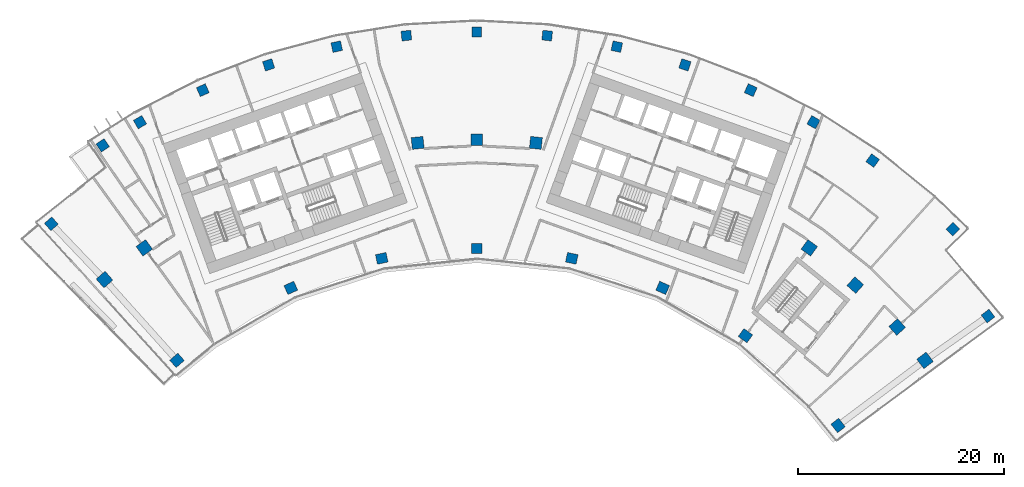
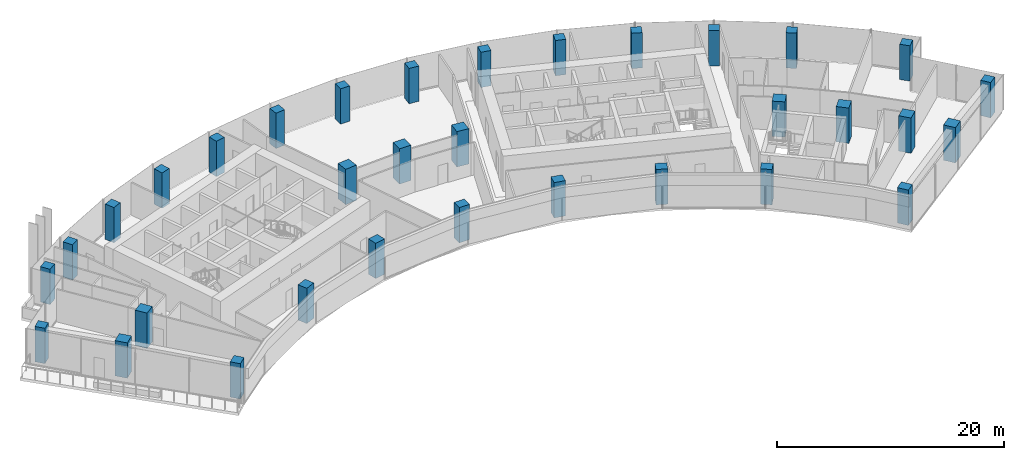
# One storey, part 1 of 19: 33 columns.
"""IFC4 building model written with IfcOpenShell, lengths in metres."""

import ifcopenshell
import ifcopenshell.guid

model = None  # the IFC model being written
_history = None  # IfcOwnerHistory: only IFC2X3 demands one
_inside = {}  # id of a spatial element -> (the spatial element, [elements in it])
_under = {}  # id of a project, library or spatial element -> (it, [spatial elements below it])
_declared = {}  # id of a project -> (the project, [libraries it declares])
_typed = {}  # id of a type object -> (the type object, [elements of that type])
_made_of = {}  # id of a material, layer set ... -> (it, [elements and type objects made of it])


def new_model(schema):
    """Start an empty IFC model of exactly this schema.

    Asked for "IFC4X3", IfcOpenShell would pick the latest addendum, in which some entities
    have other attributes; the version numbers below select the first issue.
    IFC2X3 requires an IfcOwnerHistory on every rooted entity: one is made here for all.
    """
    global model, _history
    if schema == "IFC4X3":
        model = ifcopenshell.file(schema_version=(4, 3, 0, 0))
    else:
        model = ifcopenshell.file(schema=schema)
    _inside.clear()
    _under.clear()
    _declared.clear()
    _typed.clear()
    _made_of.clear()
    _history = None
    if model.schema == "IFC2X3":
        org = make("IfcOrganization", Name="unknown")
        user = make(
            "IfcPersonAndOrganization",
            ThePerson=make("IfcPerson", FamilyName="unknown"),
            TheOrganization=org,
        )
        app = make(
            "IfcApplication",
            ApplicationDeveloper=org,
            Version="unknown",
            ApplicationFullName="unknown",
            ApplicationIdentifier="unknown",
        )
        _history = make(
            "IfcOwnerHistory",
            OwningUser=user,
            OwningApplication=app,
            ChangeAction="ADDED",
            CreationDate=0,
        )
    return model


def make(cls, **values):
    """One entity of the class cls with the attributes given. An attribute that is None is left unset."""
    return model.create_entity(
        cls, **{name: value for name, value in values.items() if value is not None}
    )


def rooted(cls, **values):
    """An entity with a GlobalId (a new one), such as an element, a storey or a relation."""
    return make(cls, GlobalId=ifcopenshell.guid.new(), OwnerHistory=_history, **values)


def si_unit(unit_type, name, prefix=None):
    """IfcSIUnit, for example si_unit("LENGTHUNIT", "METRE", prefix="MILLI")."""
    return make("IfcSIUnit", UnitType=unit_type, Prefix=prefix, Name=name)


def assignment(units):
    """IfcUnitAssignment: the units of a project."""
    return None if units is None else make("IfcUnitAssignment", Units=units)


def point(xyz):
    """IfcCartesianPoint."""
    return None if xyz is None else make("IfcCartesianPoint", Coordinates=xyz)


def direction(xyz):
    """IfcDirection."""
    return None if xyz is None else make("IfcDirection", DirectionRatios=xyz)


def frame(location, z_axis=None, x_axis=None):
    """IfcAxis2Placement3D, a coordinate frame: its origin and axes. An axis left out is left unset."""
    return make(
        "IfcAxis2Placement3D",
        Location=point(location),
        Axis=direction(z_axis),
        RefDirection=direction(x_axis),
    )


def frame_2d(location, x_axis=None):
    """IfcAxis2Placement2D, a coordinate frame in the plane: its origin and x axis."""
    return make(
        "IfcAxis2Placement2D", Location=point(location), RefDirection=direction(x_axis)
    )


def origin():
    """The frame at (0, 0, 0) with its axes left unset."""
    return frame((0.0, 0.0, 0.0))


def origin_2d():
    """The frame at (0, 0) in the plane with its x axis left unset."""
    return frame_2d((0.0, 0.0))


def place(relative_to, where):
    """IfcLocalPlacement: puts the frame where relative to a parent placement (None: the world)."""
    return make(
        "IfcLocalPlacement", PlacementRelTo=relative_to, RelativePlacement=where
    )


def context(
    kind, dimensions, precision=None, world=None, true_north=None, identifier=None
):
    """IfcGeometricRepresentationContext, for example the 3D "Model" context."""
    return make(
        "IfcGeometricRepresentationContext",
        ContextIdentifier=identifier,
        ContextType=kind,
        CoordinateSpaceDimension=dimensions,
        Precision=precision,
        WorldCoordinateSystem=world,
        TrueNorth=true_north,
    )


def subcontext(parent, identifier, kind, view, scale=None):
    """IfcGeometricRepresentationSubContext, for example "Body" below "Model"."""
    return make(
        "IfcGeometricRepresentationSubContext",
        ContextIdentifier=identifier,
        ContextType=kind,
        ParentContext=parent,
        TargetScale=scale,
        TargetView=view,
    )


def project(units=None, contexts=None):
    """IfcProject with its units and contexts."""
    return rooted(
        "IfcProject",
        Name="project",
        RepresentationContexts=contexts,
        UnitsInContext=assignment(units),
    )


def spatial(cls, under=None, at=None, **own):
    """A site, building, storey or space (cls), placed at a placement, below another one or the project."""
    s = rooted(cls, ObjectPlacement=at, **own)
    if under is not None:
        _under.setdefault(under.id(), (under, []))[1].append(s)
    return s


def profile(cls, at=None, kind="AREA", **sizes):
    """A parametric profile (cls). Its sizes go by their IFC names, for example OverallWidth=200.0."""
    return make(cls, ProfileType=kind, Position=at, **sizes)


def rectangle(**sizes):
    """IfcRectangleProfileDef."""
    return profile("IfcRectangleProfileDef", **sizes)


def extrude(swept, where, along, depth):
    """IfcExtrudedAreaSolid: the profile swept, set in the frame where, extruded along a direction by depth."""
    return make(
        "IfcExtrudedAreaSolid",
        SweptArea=swept,
        Position=where,
        ExtrudedDirection=direction(along),
        Depth=depth,
    )


def shape(context_of_items, identifier, shape_type, items):
    """IfcShapeRepresentation: the items that make up one representation, for example the "Body"."""
    return make(
        "IfcShapeRepresentation",
        ContextOfItems=context_of_items,
        RepresentationIdentifier=identifier,
        RepresentationType=shape_type,
        Items=items,
    )


def material(Name=None, Category=None):
    """IfcMaterial."""
    return make("IfcMaterial", Name=Name, Category=Category)


def material_profile(
    of_material, cross_section, Name=None, Category=None, Priority=None
):
    """IfcMaterialProfile: a cross section and its material."""
    return make(
        "IfcMaterialProfile",
        Name=Name,
        Material=of_material,
        Profile=cross_section,
        Priority=Priority,
        Category=Category,
    )


def profile_set(profiles, Name=None, composite=None):
    """IfcMaterialProfileSet."""
    return make(
        "IfcMaterialProfileSet",
        Name=Name,
        MaterialProfiles=profiles,
        CompositeProfile=composite,
    )


def made_of(thing, what):
    """Note that an element or type object is made of a material, layer set ...; save() writes the relation."""
    if what is not None:
        _made_of.setdefault(what.id(), (what, []))[1].append(thing)
    return thing


def type_object(cls, material=None, **own):
    """A type object (cls), such as IfcWallType, which elements share."""
    return made_of(rooted(cls, **own), material)


def element(
    cls,
    number,
    at=None,
    inside=None,
    cuts=None,
    type_object=None,
    material=None,
    context=None,
    identifier="Body",
    shape_type=None,
    held_by="IfcProductDefinitionShape",
    body=None,
    shapes=None,
    **own,
):
    """One element of the class cls, such as IfcWall. Its Tag is "e" and its number.

    at: its placement. inside: the storey or other place that contains it. cuts: it is an
    opening in that element (IfcRelVoidsElement). A single representation is given by context,
    identifier, shape_type and body (its items); several are given by shapes. held_by: the class
    of the entity that holds the representations. save() writes the other relations.
    """
    e = rooted(cls, Tag="e%d" % number, ObjectPlacement=at, **own)
    if body is not None:
        shapes = [shape(context, identifier, shape_type, body)]
    if shapes is not None:
        e.Representation = make(held_by, Representations=shapes)
    if inside is not None:
        _inside.setdefault(inside.id(), (inside, []))[1].append(e)
    if cuts is not None:
        rooted(
            "IfcRelVoidsElement", RelatingBuildingElement=cuts, RelatedOpeningElement=e
        )
    if type_object is not None:
        _typed.setdefault(type_object.id(), (type_object, []))[1].append(e)
    return made_of(e, material)


def aggregate(whole, parts):
    """IfcRelAggregates: a whole, such as a stair, and the parts it consists of."""
    return rooted("IfcRelAggregates", RelatingObject=whole, RelatedObjects=parts)


def save(model, path):
    """Write the relations noted so far, then the file.

    IfcRelAggregates (storeys below a building ...), IfcRelContainedInSpatialStructure (elements
    in a storey), IfcRelDefinesByType, IfcRelAssociatesMaterial and IfcRelDeclares: one each for
    every whole, place, type object, material and project.
    """
    for whole, parts in _under.values():
        aggregate(whole, parts)
    for where, things in _inside.values():
        rooted(
            "IfcRelContainedInSpatialStructure",
            RelatedElements=things,
            RelatingStructure=where,
        )
    for kind, things in _typed.values():
        rooted("IfcRelDefinesByType", RelatedObjects=things, RelatingType=kind)
    for what, things in _made_of.values():
        rooted("IfcRelAssociatesMaterial", RelatedObjects=things, RelatingMaterial=what)
    for by, libraries in _declared.values():
        rooted("IfcRelDeclares", RelatingContext=by, RelatedDefinitions=libraries)
    model.write(path)


model = new_model("IFC4")

# Units and contexts
model_context = context("Model", 3, precision=1e-05, world=origin(), true_north=direction((0.0, 1.0)))
body_context = subcontext(model_context, "Body", "Model", "MODEL_VIEW")
ifc_project = project(units=[si_unit("LENGTHUNIT", "METRE"), si_unit("AREAUNIT", "SQUARE_METRE"), si_unit("VOLUMEUNIT", "CUBIC_METRE"), si_unit("PLANEANGLEUNIT", "RADIAN"), si_unit("MASSUNIT", "GRAM", prefix="KILO")], contexts=[model_context])

# Site, building, storey
site_placement = place(None, origin())
site = spatial("IfcSite", under=ifc_project, at=site_placement, CompositionType="ELEMENT")
building_placement = place(site_placement, origin())
building = spatial("IfcBuilding", under=site, at=building_placement, Name="Stone Belt Terrace Tower", CompositionType="ELEMENT")
storey_placement = place(building_placement, frame((0.0, 0.0, 227.60009765625)))
storey = spatial("IfcBuildingStorey", under=building, at=storey_placement, Name="L55", CompositionType="ELEMENT", Elevation=227.60009765625)

# Columns
ifc_material = material(Name="Concrete B60", Category="concrete")
ifc_material_profile_1 = material_profile(ifc_material, rectangle(XDim=1.050048828125, YDim=0.949951171875, at=origin_2d()), Name="RC 1050x950")
ifc_profile_set_1 = profile_set([ifc_material_profile_1], Name="Concrete B60")
column_type_1 = type_object("IfcColumnType", Name="Column RC 1050x950 B60", PredefinedType="COLUMN", material=ifc_profile_set_1)
for number, where, z_axis, x_axis, name in (
    (1, (-29.146728515625, 33.553466796875, 0.0), (0.0, 0.0, 1.0), (0.754940831195, 0.655792910448, 0.0), "Column L55 PA"),
    (2, (-18.077392578125, 40.6025390625, 0.0), (0.0, 0.0, 1.0), (0.913545457643, 0.406736643076, 0.0), "Column L55 P18"),
    (3, (-9.240478515625, 43.473876953125, 0.0), (0.0, 0.0, 1.0), (0.978147600734, 0.207911690818, 0.0), "Column L55 P20"),
    (4, (0.0, 44.445068359375, 0.0), (0.0, 0.0, 1.0), (1.0, 0.0, 0.0), "Column L55 P22"),
    (5, (9.240478515625, 43.473876953125, 0.0), (0.0, 0.0, 1.0), (0.978147600734, -0.207911690818, 0.0), "Column L55 P24"),
    (6, (18.077392578125, 40.6025390625, 0.0), (0.0, 0.0, 1.0), (0.913545457643, -0.406736643076, 0.0), "Column L55 P26"),
    (7, (26.1240234375, 35.956787109375, 0.0), (0.0, 0.0, 1.0), (0.809016994375, -0.587785252292, 0.0), "Column L55 P28"),
    (8, (35.133056640625, 27.221923828125, 0.0), (0.0, 0.0, 1.0), (0.612484967582, -0.790482235402, 0.0), "Column L55 PB"),
):
    element("IfcColumn", number, at=place(storey_placement, frame(where, z_axis=z_axis, x_axis=x_axis)), inside=storey, type_object=column_type_1, Name=name, PredefinedType="COLUMN", context=body_context, shape_type="SweptSolid", body=[
        extrude(rectangle(XDim=1.050048828125, YDim=0.949951171875, at=origin_2d()), origin(), (0.0, 0.0, 1.0), 3.7998046875),
    ])
ifc_material_profile_2 = material_profile(ifc_material, rectangle(XDim=1.14990234375, YDim=1.14990234375, at=origin_2d()), Name="RC 1150x1150")
ifc_profile_set_2 = profile_set([ifc_material_profile_2], Name="Concrete B60")
column_type_2 = type_object("IfcColumnType", Name="Column RC 1150x1150 B60", PredefinedType="COLUMN", material=ifc_profile_set_2)
for number, where, z_axis, x_axis, name in (
    (9, (-36.194580078125, 41.411865234375, 0.0), (0.0, 0.0, 1.0), (0.752943496139, 0.658085170493, 0.0), "Column L55 QA"),
    (10, (-32.328125, 44.495849609375, 0.0), (0.0, 0.0, 1.0), (0.809016994375, 0.587785252292, 0.0), "Column L55 Q16"),
    (11, (-5.7490234375, 54.69873046875, 0.0), (0.0, 0.0, 1.0), (0.994521895368, 0.104528463268, 0.0), "Column L55 Q21"),
    (12, (0.0, 55.0, 0.0), (0.0, 0.0, 1.0), (1.0, 0.0, 0.0), "Column L55 Q22"),
    (13, (5.7490234375, 54.69873046875, 0.0), (0.0, 0.0, 1.0), (0.994521895368, -0.104528463268, 0.0), "Column L55 Q23"),
    (14, (32.328125, 44.495849609375, 0.0), (0.0, 0.0, 1.0), (0.809016994375, -0.587785252292, 0.0), "Column L55 Q28"),
    (15, (36.80224609375, 40.873046875, 0.0), (0.0, 0.0, 1.0), (0.743144825477, -0.669130606359, 0.0), "Column L55 Q29"),
    (16, (40.873046875, 36.80224609375, 0.0), (0.0, 0.0, 1.0), (0.669130606359, -0.743144825477, 0.0), "Column L55 Q30"),
    (17, (43.57861328125, 33.55419921875, 0.0), (0.0, 0.0, 1.0), (0.610078787058, -0.792340755977, 0.0), "Column L55 QB"),
):
    element("IfcColumn", number, at=place(storey_placement, frame(where, z_axis=z_axis, x_axis=x_axis)), inside=storey, type_object=column_type_2, Name=name, PredefinedType="COLUMN", context=body_context, shape_type="SweptSolid", body=[
        extrude(rectangle(XDim=1.14990234375, YDim=1.14990234375, at=origin_2d()), origin(), (0.0, 0.0, 1.0), 3.7998046875),
    ])
ifc_material_profile_3 = material_profile(ifc_material, rectangle(XDim=0.949951171875, YDim=0.949951171875, at=origin_2d()), Name="RC 950x950")
ifc_profile_set_3 = profile_set([ifc_material_profile_3], Name="Concrete B60")
column_type_3 = type_object("IfcColumnType", Name="Column RC 950x950 B60", PredefinedType="COLUMN", material=ifc_profile_set_3)
for number, where, z_axis, x_axis, name in (
    (18, (-41.366455078125, 46.836669921875, 0.0), (0.0, 0.0, 1.0), (0.749519816259, 0.661981906879, 0.0), "Column L55 RA"),
    (19, (49.70947265625, 37.86572265625, 0.0), (0.0, 0.0, 1.0), (0.605960632634, -0.795494633356, 0.0), "Column L55 RB"),
    (20, (-36.369873046875, 54.461181640625, 0.0), (0.0, 0.0, 1.0), (0.831610185357, 0.555359792937, 0.0), "Column L55 RNA"),
    (21, (-32.744384765625, 56.715087890625, 0.0), (0.0, 0.0, 1.0), (0.866025403784, 0.5, 0.0), "Column L55 R17"),
    (22, (-26.63671875, 59.8271484375, 0.0), (0.0, 0.0, 1.0), (0.913545457643, 0.406736643076, 0.0), "Column L55 R18"),
    (23, (-20.2373046875, 62.28369140625, 0.0), (0.0, 0.0, 1.0), (0.951056516295, 0.309016994375, 0.0), "Column L55 R19"),
    (24, (-13.615966796875, 64.057861328125, 0.0), (0.0, 0.0, 1.0), (0.978147600734, 0.207911690818, 0.0), "Column L55 R20"),
    (25, (-6.845458984375, 65.130126953125, 0.0), (0.0, 0.0, 1.0), (0.994521895368, 0.104528463268, 0.0), "Column L55 R21"),
    (26, (0.0, 65.489013671875, 0.0), (0.0, 0.0, 1.0), (1.0, 0.0, 0.0), "Column L55 R22"),
    (27, (6.845458984375, 65.130126953125, 0.0), (0.0, 0.0, 1.0), (0.994521895368, -0.104528463268, 0.0), "Column L55 R23"),
    (28, (13.615966796875, 64.057861328125, 0.0), (0.0, 0.0, 1.0), (0.978147600734, -0.207911690818, 0.0), "Column L55 R24"),
    (29, (20.2373046875, 62.28369140625, 0.0), (0.0, 0.0, 1.0), (0.951056516295, -0.309016994375, 0.0), "Column L55 R25"),
    (30, (26.63671875, 59.8271484375, 0.0), (0.0, 0.0, 1.0), (0.913545457643, -0.406736643076, 0.0), "Column L55 R26"),
    (31, (32.744384765625, 56.715087890625, 0.0), (0.0, 0.0, 1.0), (0.866025403784, -0.5, 0.0), "Column L55 R27"),
    (32, (38.493408203125, 52.981689453125, 0.0), (0.0, 0.0, 1.0), (0.809016994375, -0.587785252292, 0.0), "Column L55 R28"),
    (33, (46.29638671875, 46.318603515625, 0.0), (0.0, 0.0, 1.0), (0.707275837349, -0.706937684596, 0.0), "Column L55 RNB"),
):
    element("IfcColumn", number, at=place(storey_placement, frame(where, z_axis=z_axis, x_axis=x_axis)), inside=storey, type_object=column_type_3, Name=name, PredefinedType="COLUMN", context=body_context, shape_type="SweptSolid", body=[
        extrude(rectangle(XDim=0.949951171875, YDim=0.949951171875, at=origin_2d()), origin(), (0.0, 0.0, 1.0), 3.7998046875),
    ])

save(model, "model.ifc")
